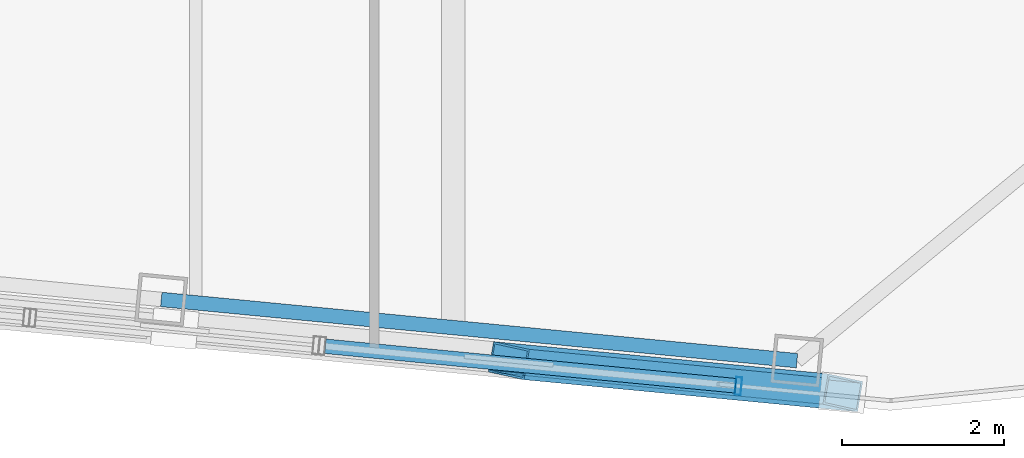
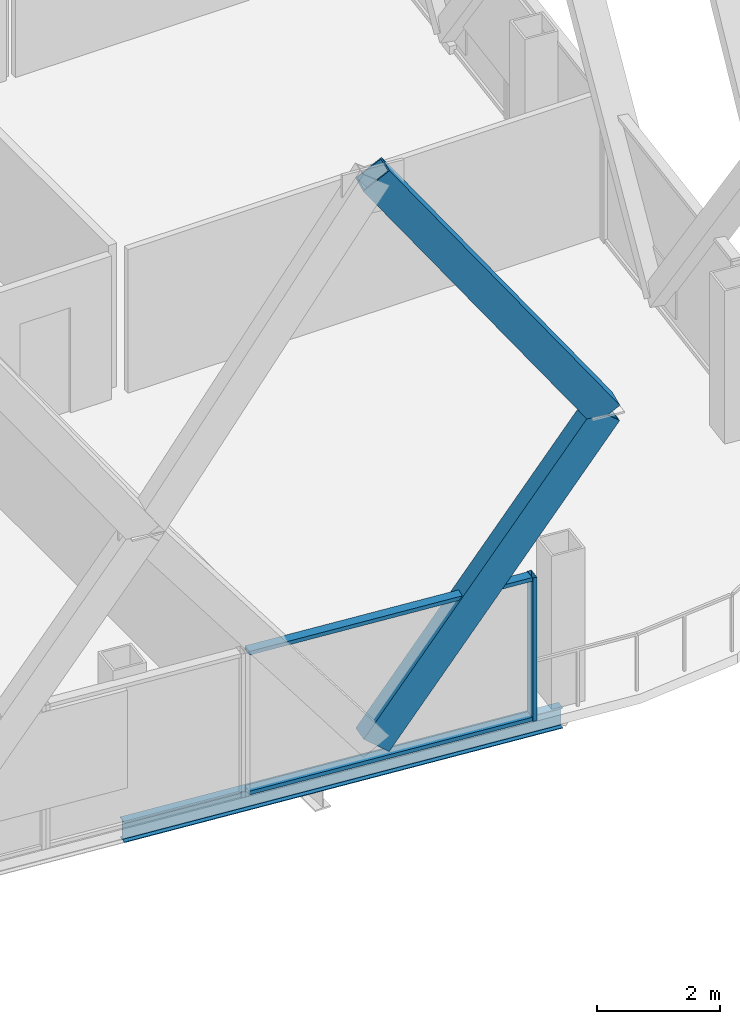
# One storey, part 7 of 25: 5 members, 1 beam, 1 element without a shape of its own.
"""IFC4 building model written with IfcOpenShell, lengths in metres."""

from ifc_helpers import new_model, si_unit, direction, frame, origin, origin_2d, place, context, subcontext, project, spatial, hollow_rectangle, i_section, extrude, material, layer, layer_set, material_profile, profile_set, type_object, element, aggregate, save


model = new_model("IFC4")

# Units and contexts
model_context = context("Model", 3, precision=1e-05, world=origin(), true_north=direction((0.0, 1.0)))
body_context = subcontext(model_context, "Body", "Model", "MODEL_VIEW")
ifc_project = project(units=[si_unit("LENGTHUNIT", "METRE"), si_unit("AREAUNIT", "SQUARE_METRE"), si_unit("VOLUMEUNIT", "CUBIC_METRE"), si_unit("PLANEANGLEUNIT", "RADIAN"), si_unit("MASSUNIT", "GRAM", prefix="KILO")], contexts=[model_context])

# Site, building, storey
site_placement = place(None, origin())
site = spatial("IfcSite", under=ifc_project, at=site_placement, CompositionType="ELEMENT")
building_placement = place(site_placement, origin())
building = spatial("IfcBuilding", under=site, at=building_placement, Name="Qhalaya Broadcast Tower", CompositionType="ELEMENT")
storey_placement = place(building_placement, frame((0.0, 0.0, 255.050048828125)))
storey = spatial("IfcBuildingStorey", under=building, at=storey_placement, Name="L75", CompositionType="ELEMENT", Elevation=255.050048828125)

# Members
ifc_material_1 = material(Name="Structural Steel ASTM A572 Grade 50", Category="steel")
ifc_material_profile_1 = material_profile(ifc_material_1, hollow_rectangle(XDim=0.3798828125, YDim=0.550048828125, WallThickness=0.02490234375, at=origin_2d()), Name="BOX 380x550x25")
ifc_profile_set_1 = profile_set([ifc_material_profile_1], Name="Structural Steel ASTM A572 Grade 50")
member_type_1 = type_object("IfcMemberType", Name="Exoskeleton Diamond Diagonal Upper EX4", PredefinedType="BRACE", material=ifc_profile_set_1)
member_1_placement = place(storey_placement, frame((10.05859375, -22.090087890625, 0.35986328125), z_axis=(0.60538569949, -0.058300658059, 0.793794172392), x_axis=(0.171149948175, 0.983519052802, -0.058292092221)))
element("IfcMember", 1, at=member_1_placement, inside=storey, type_object=member_type_1, Name="B6 Exoskeleton Diamond Brace S3-D2", PredefinedType="BRACE", context=body_context, shape_type="SweptSolid", body=[
    extrude(hollow_rectangle(XDim=0.3798828125, YDim=0.550048828125, WallThickness=0.02490234375, at=origin_2d()), origin(), (0.0, 0.0, 1.0), 6.79638671875),
])
member_2_placement = place(storey_placement, frame((14.173095703125, -22.486328125, 5.7548828125), z_axis=(-0.572776281238, 0.055160262532, 0.817853701519), x_axis=(-0.173445332339, -0.983297999666, -0.055152158097)))
element("IfcMember", 2, at=member_2_placement, inside=storey, type_object=member_type_1, Name="B6 Exoskeleton Diamond Brace S3-D4", PredefinedType="BRACE", context=body_context, shape_type="SweptSolid", body=[
    extrude(hollow_rectangle(XDim=0.3798828125, YDim=0.550048828125, WallThickness=0.02490234375, at=origin_2d()), origin(), (0.0, 0.0, 1.0), 7.183349609375),
])

# Curtain wall, members
ifc_material_2 = material(Name="Fired Architectural Terracotta", Category="masonry")
ifc_layer = layer(ifc_material_2, 0.219970703125, Name="Fired Architectural Terracotta")
ifc_layer_set = layer_set([ifc_layer], Name="Fired Architectural Terracotta")
curtain_wall_type = type_object("IfcCurtainWallType", Name="Block-Cap Unitised Terracotta Spandrel Wall CW-07", PredefinedType="NOTDEFINED", material=ifc_layer_set)
curtain_wall_placement = place(storey_placement, origin())
curtain_wall = element("IfcCurtainWall", 3, at=curtain_wall_placement, inside=storey, type_object=curtain_wall_type, Name="L75 Unitised Curtain Wall L75-CW-S5", PredefinedType="NOTDEFINED")
ifc_material_3 = material(Name="Anodised Aluminium 6063-T6", Category="aluminium")
ifc_material_profile_2 = material_profile(ifc_material_3, hollow_rectangle(XDim=0.074951171875, YDim=0.219970703125, WallThickness=0.00390625, at=origin_2d()), Name="ALU-MUL 75x220x4")
ifc_profile_set_2 = profile_set([ifc_material_profile_2], Name="Anodised Aluminium 6063-T6")
member_type_2 = type_object("IfcMemberType", Name="Unitised Curtain-Wall Mullion M01", PredefinedType="MULLION", material=ifc_profile_set_2)
member_3_placement = place(storey_placement, frame((12.887451171875, -22.40283203125, 0.0), z_axis=(0.0, 0.0, 1.0), x_axis=(0.995395942778, -0.095848406879, 0.0)))
member_3 = element("IfcMember", 4, at=member_3_placement, type_object=member_type_2, Name="CW-07 mullion 2", PredefinedType="MULLION", context=body_context, shape_type="SweptSolid", body=[
    extrude(hollow_rectangle(XDim=0.074951171875, YDim=0.219970703125, WallThickness=0.00390625, at=origin_2d()), origin(), (0.0, 0.0, 1.0), 2.85986328125),
])
ifc_material_profile_3 = material_profile(ifc_material_3, hollow_rectangle(XDim=0.074951171875, YDim=0.179931640625, WallThickness=0.00390625, at=origin_2d()), Name="ALU-TRN 75x180x4")
ifc_profile_set_3 = profile_set([ifc_material_profile_3], Name="Anodised Aluminium 6063-T6")
member_type_3 = type_object("IfcMemberType", Name="Unitised Curtain-Wall Transom T01", PredefinedType="USERDEFINED", material=ifc_profile_set_3)
member_4_placement = place(storey_placement, frame((7.797607421875, -21.91259765625, 0.037353515625), z_axis=(0.995395272077, -0.09585537192, 0.0), x_axis=(0.0, 0.0, 1.0)))
member_4 = element("IfcMember", 5, at=member_4_placement, type_object=member_type_3, Name="CW-07 transom 1.1", ObjectType="TRANSOM", PredefinedType="USERDEFINED", context=body_context, shape_type="SweptSolid", body=[
    extrude(hollow_rectangle(XDim=0.074951171875, YDim=0.179931640625, WallThickness=0.00390625, at=origin_2d()), origin(), (0.0, 0.0, 1.0), 5.076171875),
])
member_5_placement = place(storey_placement, frame((7.797607421875, -21.91259765625, 2.822509765625), z_axis=(0.995395272077, -0.09585537192, 0.0), x_axis=(0.0, 0.0, 1.0)))
member_5 = element("IfcMember", 6, at=member_5_placement, type_object=member_type_3, Name="CW-07 transom 1.2", ObjectType="TRANSOM", PredefinedType="USERDEFINED", context=body_context, shape_type="SweptSolid", body=[
    extrude(hollow_rectangle(XDim=0.074951171875, YDim=0.179931640625, WallThickness=0.00390625, at=origin_2d()), origin(), (0.0, 0.0, 1.0), 5.076171875),
])
aggregate(curtain_wall, [member_3, member_4, member_5])

# Beam
ifc_material_4 = material(Name="Structural Steel ASTM A992 Grade 50", Category="steel")
ifc_material_profile_4 = material_profile(ifc_material_4, i_section(OverallWidth=0.177978515625, OverallDepth=0.406005859375, WebThickness=0.0078125, FlangeThickness=0.0126953125, at=origin_2d()), Name="W16X40")
ifc_profile_set_4 = profile_set([ifc_material_profile_4], Name="Structural Steel ASTM A992 Grade 50")
beam_type = type_object("IfcBeamType", Name="Upper Perimeter Spandrel Beam SP2", PredefinedType="SPANDREL", material=ifc_profile_set_4)
beam_placement = place(storey_placement, frame((5.77783203125, -21.33642578125, -0.39306640625), z_axis=(0.995397308407, -0.095834223619, 0.0), x_axis=(0.095834223619, 0.995397308407, 0.0)))
element("IfcBeam", 7, at=beam_placement, inside=storey, type_object=beam_type, Name="L75 SP2 L75-SPR-03", PredefinedType="SPANDREL", context=body_context, shape_type="SweptSolid", body=[
    extrude(i_section(OverallWidth=0.177978515625, OverallDepth=0.406005859375, WebThickness=0.0078125, FlangeThickness=0.0126953125, at=origin_2d()), origin(), (0.0, 0.0, 1.0), 7.86669921875),
])

save(model, "model.ifc")
